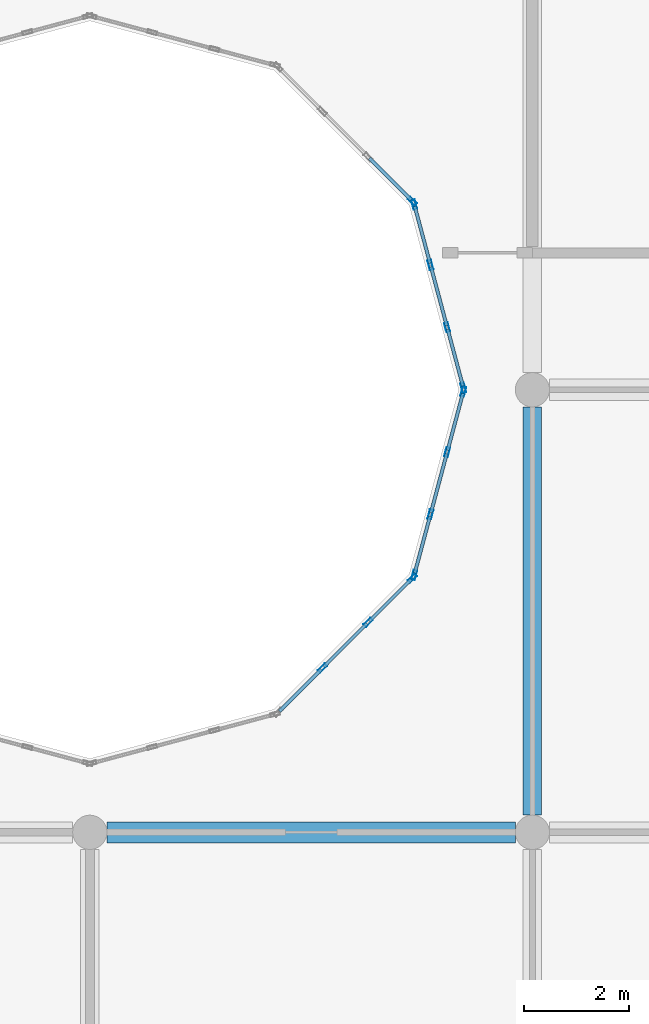
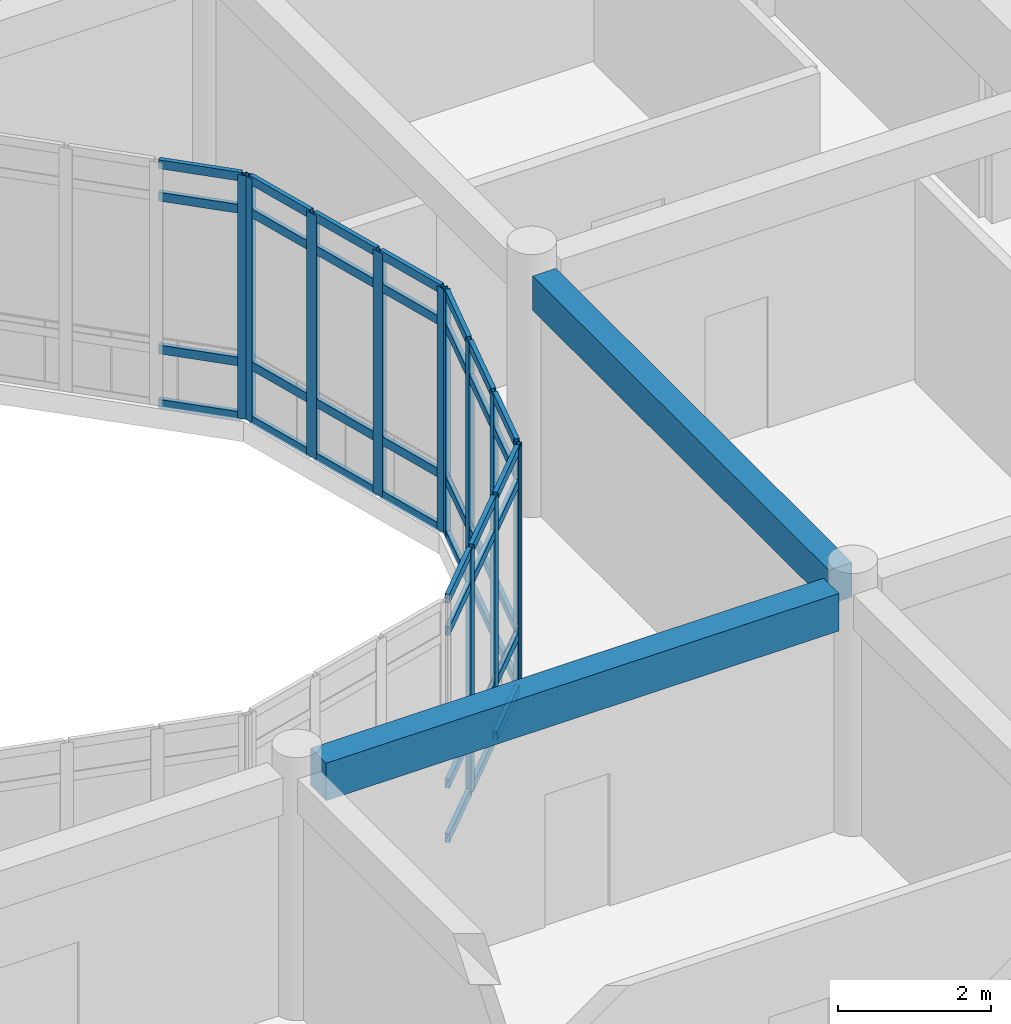
# One storey, part 32 of 119: 52 members, 2 beams, 4 elements without a shape of their own.
"""IFC4 building model written with IfcOpenShell, lengths in metres."""

from ifc_helpers import new_model, si_unit, direction, frame, origin, origin_2d, place, context, subcontext, project, spatial, rectangle, hollow_rectangle, extrude, material, layer, layer_set, material_profile, profile_set, type_object, element, aggregate, save


model = new_model("IFC4")

# Units and contexts
model_context = context("Model", 3, precision=1e-05, world=origin(), true_north=direction((0.0, 1.0)))
body_context = subcontext(model_context, "Body", "Model", "MODEL_VIEW")
ifc_project = project(units=[si_unit("LENGTHUNIT", "METRE"), si_unit("AREAUNIT", "SQUARE_METRE"), si_unit("VOLUMEUNIT", "CUBIC_METRE"), si_unit("PLANEANGLEUNIT", "RADIAN"), si_unit("MASSUNIT", "GRAM", prefix="KILO")], contexts=[model_context])

# Site, building, storey
site_placement = place(None, origin())
site = spatial("IfcSite", under=ifc_project, at=site_placement, CompositionType="ELEMENT")
building_placement = place(site_placement, origin())
building = spatial("IfcBuilding", under=site, at=building_placement, Name="Bramfleet General Hospital", CompositionType="ELEMENT")
storey_placement = place(building_placement, frame((0.0, 0.0, 14.39990234375)))
storey = spatial("IfcBuildingStorey", under=building, at=storey_placement, Name="L03", CompositionType="ELEMENT", Elevation=14.39990234375)

# Beams
ifc_material_1 = material(Name="Concrete C35/45", Category="concrete")
ifc_material_profile_1 = material_profile(ifc_material_1, rectangle(XDim=0.35009765625, YDim=0.550048828125, at=origin_2d()), Name="RC BM 550x350")
ifc_profile_set_1 = profile_set([ifc_material_profile_1], Name="Concrete C35/45")
beam_type_1 = type_object("IfcBeamType", Name="BM-RC550", PredefinedType="BEAM", material=ifc_profile_set_1)
beam_1_placement = place(storey_placement, frame((92.39990234375, 67.52490234375, 3.614990234375), z_axis=(0.0, 1.0, 0.0), x_axis=(-1.0, 0.0, 0.0)))
element("IfcBeam", 1, at=beam_1_placement, inside=storey, type_object=beam_type_1, Name="L03 Grid Beam Y 11-08", PredefinedType="BEAM", context=body_context, shape_type="SweptSolid", body=[
    extrude(rectangle(XDim=0.35009765625, YDim=0.550048828125, at=origin_2d()), origin(), (0.0, 0.0, 1.0), 7.75),
])
ifc_material_profile_2 = material_profile(ifc_material_1, rectangle(XDim=0.39990234375, YDim=0.60009765625, at=origin_2d()), Name="RC BM 600x400")
ifc_profile_set_2 = profile_set([ifc_material_profile_2], Name="Concrete C35/45")
beam_type_2 = type_object("IfcBeamType", Name="BM-RC600", PredefinedType="BEAM", material=ifc_profile_set_2)
beam_2_placement = place(storey_placement, frame((84.324951171875, 67.199951171875, 3.590087890625), z_axis=(1.0, 0.0, 0.0), x_axis=(0.0, 1.0, 0.0)))
element("IfcBeam", 2, at=beam_2_placement, inside=storey, type_object=beam_type_2, Name="L03 Grid Beam X 10-08", PredefinedType="BEAM", context=body_context, shape_type="SweptSolid", body=[
    extrude(rectangle(XDim=0.39990234375, YDim=0.60009765625, at=origin_2d()), origin(), (0.0, 0.0, 1.0), 7.75),
])

# Curtain wall, members
ifc_material_2 = material(Name="Anodised aluminium and low-E triple glazing", Category="aluminium")
ifc_layer_1 = layer(ifc_material_2, 0.179931640625, Name="CWT-CW-17")
ifc_layer_set_1 = layer_set([ifc_layer_1], Name="Anodised aluminium and low-E triple glazing")
curtain_wall_type_1 = type_object("IfcCurtainWallType", Name="CWT-CW-17", PredefinedType="USERDEFINED", material=ifc_layer_set_1)
curtain_wall_1_placement = place(storey_placement, origin())
curtain_wall_1 = element("IfcCurtainWall", 3, at=curtain_wall_1_placement, inside=storey, type_object=curtain_wall_type_1, Name="L03 Central Diagnostic Light Court Curtain Wall 5.1", ObjectType="Stick curtain wall", PredefinedType="USERDEFINED")
ifc_material_3 = material(Name="Anodised aluminium EN AW-6060", Category="aluminium")
ifc_material_profile_3 = material_profile(ifc_material_3, hollow_rectangle(XDim=0.070068359375, YDim=0.179931640625, WallThickness=0.00390625, at=origin_2d()), Name="ALU 180x70x4.0")
ifc_profile_set_3 = profile_set([ifc_material_profile_3], Name="Anodised aluminium EN AW-6060")
member_type_1 = type_object("IfcMemberType", Name="CWM-ALU180", PredefinedType="MULLION", material=ifc_profile_set_3)
member_1_placement = place(storey_placement, frame((88.416259765625, 70.3173828125, 0.0), z_axis=(0.0, 0.0, 1.0), x_axis=(-0.707106781187, 0.707106781187, 0.0)))
member_1 = element("IfcMember", 4, at=member_1_placement, type_object=member_type_1, Name="CW-17 mullion 2", PredefinedType="MULLION", context=body_context, shape_type="SweptSolid", body=[
    extrude(hollow_rectangle(XDim=0.070068359375, YDim=0.179931640625, WallThickness=0.00390625, at=origin_2d()), origin(), (0.0, 0.0, 1.0), 3.89013671875),
])
member_2_placement = place(storey_placement, frame((89.28271484375, 71.18359375, 0.0), z_axis=(0.0, 0.0, 1.0), x_axis=(-0.707106781187, 0.707106781187, 0.0)))
member_2 = element("IfcMember", 5, at=member_2_placement, type_object=member_type_1, Name="CW-17 mullion 3", PredefinedType="MULLION", context=body_context, shape_type="SweptSolid", body=[
    extrude(hollow_rectangle(XDim=0.070068359375, YDim=0.179931640625, WallThickness=0.00390625, at=origin_2d()), origin(), (0.0, 0.0, 1.0), 3.89013671875),
])
member_3_placement = place(storey_placement, frame((90.124267578125, 72.025146484375, 0.0), z_axis=(0.0, 0.0, 1.0), x_axis=(-0.707106781187, 0.707106781187, 0.0)))
member_3 = element("IfcMember", 6, at=member_3_placement, type_object=member_type_1, Name="CW-17 mullion 4", PredefinedType="MULLION", context=body_context, shape_type="SweptSolid", body=[
    extrude(hollow_rectangle(XDim=0.070068359375, YDim=0.179931640625, WallThickness=0.00390625, at=origin_2d()), origin(), (0.0, 0.0, 1.0), 3.89013671875),
])

ifc_layer_2 = layer(ifc_material_2, 0.179931640625, Name="CWT-CW-18")
ifc_layer_set_2 = layer_set([ifc_layer_2], Name="Anodised aluminium and low-E triple glazing")
curtain_wall_type_2 = type_object("IfcCurtainWallType", Name="CWT-CW-18", PredefinedType="USERDEFINED", material=ifc_layer_set_2)
curtain_wall_2_placement = place(storey_placement, origin())
curtain_wall_2 = element("IfcCurtainWall", 7, at=curtain_wall_2_placement, inside=storey, type_object=curtain_wall_type_2, Name="L03 Central Diagnostic Light Court Curtain Wall 6.1", ObjectType="Stick curtain wall", PredefinedType="USERDEFINED")
member_4_placement = place(storey_placement, frame((90.157958984375, 72.083740234375, 0.0), z_axis=(0.0, 0.0, 1.0), x_axis=(-0.965940765005, 0.258763286618, 0.0)))
member_4 = element("IfcMember", 8, at=member_4_placement, type_object=member_type_1, Name="CW-18 mullion 1", PredefinedType="MULLION", context=body_context, shape_type="SweptSolid", body=[
    extrude(hollow_rectangle(XDim=0.070068359375, YDim=0.179931640625, WallThickness=0.00390625, at=origin_2d()), origin(), (0.0, 0.0, 1.0), 3.89013671875),
])
member_5_placement = place(storey_placement, frame((90.466064453125, 73.2333984375, 0.0), z_axis=(0.0, 0.0, 1.0), x_axis=(-0.965940765005, 0.258763286618, 0.0)))
member_5 = element("IfcMember", 9, at=member_5_placement, type_object=member_type_1, Name="CW-18 mullion 2", PredefinedType="MULLION", context=body_context, shape_type="SweptSolid", body=[
    extrude(hollow_rectangle(XDim=0.070068359375, YDim=0.179931640625, WallThickness=0.00390625, at=origin_2d()), origin(), (0.0, 0.0, 1.0), 3.89013671875),
])
member_6_placement = place(storey_placement, frame((90.782958984375, 74.416748046875, 0.0), z_axis=(0.0, 0.0, 1.0), x_axis=(-0.965940765005, 0.258763286618, 0.0)))
member_6 = element("IfcMember", 10, at=member_6_placement, type_object=member_type_1, Name="CW-18 mullion 3", PredefinedType="MULLION", context=body_context, shape_type="SweptSolid", body=[
    extrude(hollow_rectangle(XDim=0.070068359375, YDim=0.179931640625, WallThickness=0.00390625, at=origin_2d()), origin(), (0.0, 0.0, 1.0), 3.89013671875),
])
member_7_placement = place(storey_placement, frame((91.091064453125, 75.566162109375, 0.0), z_axis=(0.0, 0.0, 1.0), x_axis=(-0.965940765005, 0.258763286618, 0.0)))
member_7 = element("IfcMember", 11, at=member_7_placement, type_object=member_type_1, Name="CW-18 mullion 4", PredefinedType="MULLION", context=body_context, shape_type="SweptSolid", body=[
    extrude(hollow_rectangle(XDim=0.070068359375, YDim=0.179931640625, WallThickness=0.00390625, at=origin_2d()), origin(), (0.0, 0.0, 1.0), 3.89013671875),
])

ifc_layer_3 = layer(ifc_material_2, 0.179931640625, Name="CWT-CW-11")
ifc_layer_set_3 = layer_set([ifc_layer_3], Name="Anodised aluminium and low-E triple glazing")
curtain_wall_type_3 = type_object("IfcCurtainWallType", Name="CWT-CW-11", PredefinedType="USERDEFINED", material=ifc_layer_set_3)
curtain_wall_3_placement = place(storey_placement, origin())
curtain_wall_3 = element("IfcCurtainWall", 12, at=curtain_wall_3_placement, inside=storey, type_object=curtain_wall_type_3, Name="L03 Central Diagnostic Light Court Curtain Wall 7.1", ObjectType="Stick curtain wall", PredefinedType="USERDEFINED")
member_8_placement = place(storey_placement, frame((91.091064453125, 75.6337890625, 0.0), z_axis=(0.0, 0.0, 1.0), x_axis=(-0.965940765005, -0.258763286618, 0.0)))
member_8 = element("IfcMember", 13, at=member_8_placement, type_object=member_type_1, Name="CW-11 mullion 1", PredefinedType="MULLION", context=body_context, shape_type="SweptSolid", body=[
    extrude(hollow_rectangle(XDim=0.070068359375, YDim=0.179931640625, WallThickness=0.00390625, at=origin_2d()), origin(), (0.0, 0.0, 1.0), 3.89013671875),
])
member_9_placement = place(storey_placement, frame((90.782958984375, 76.783447265625, 0.0), z_axis=(0.0, 0.0, 1.0), x_axis=(-0.965940765005, -0.258763286618, 0.0)))
member_9 = element("IfcMember", 14, at=member_9_placement, type_object=member_type_1, Name="CW-11 mullion 2", PredefinedType="MULLION", context=body_context, shape_type="SweptSolid", body=[
    extrude(hollow_rectangle(XDim=0.070068359375, YDim=0.179931640625, WallThickness=0.00390625, at=origin_2d()), origin(), (0.0, 0.0, 1.0), 3.89013671875),
])
member_10_placement = place(storey_placement, frame((90.466064453125, 77.966552734375, 0.0), z_axis=(0.0, 0.0, 1.0), x_axis=(-0.965940765005, -0.258763286618, 0.0)))
member_10 = element("IfcMember", 15, at=member_10_placement, type_object=member_type_1, Name="CW-11 mullion 3", PredefinedType="MULLION", context=body_context, shape_type="SweptSolid", body=[
    extrude(hollow_rectangle(XDim=0.070068359375, YDim=0.179931640625, WallThickness=0.00390625, at=origin_2d()), origin(), (0.0, 0.0, 1.0), 3.89013671875),
])
member_11_placement = place(storey_placement, frame((90.157958984375, 79.1162109375, 0.0), z_axis=(0.0, 0.0, 1.0), x_axis=(-0.965940765005, -0.258763286618, 0.0)))
member_11 = element("IfcMember", 16, at=member_11_placement, type_object=member_type_1, Name="CW-11 mullion 4", PredefinedType="MULLION", context=body_context, shape_type="SweptSolid", body=[
    extrude(hollow_rectangle(XDim=0.070068359375, YDim=0.179931640625, WallThickness=0.00390625, at=origin_2d()), origin(), (0.0, 0.0, 1.0), 3.89013671875),
])

# Curtain wall, member
ifc_layer_4 = layer(ifc_material_2, 0.179931640625, Name="CWT-CW-12")
ifc_layer_set_4 = layer_set([ifc_layer_4], Name="Anodised aluminium and low-E triple glazing")
curtain_wall_type_4 = type_object("IfcCurtainWallType", Name="CWT-CW-12", PredefinedType="USERDEFINED", material=ifc_layer_set_4)
curtain_wall_4_placement = place(storey_placement, origin())
curtain_wall_4 = element("IfcCurtainWall", 17, at=curtain_wall_4_placement, inside=storey, type_object=curtain_wall_type_4, Name="L03 Central Diagnostic Light Court Curtain Wall 8.1", ObjectType="Stick curtain wall", PredefinedType="USERDEFINED")
member_12_placement = place(storey_placement, frame((90.124267578125, 79.1748046875, 0.0), z_axis=(0.0, 0.0, 1.0), x_axis=(-0.707106781187, -0.707106781187, 0.0)))
member_12 = element("IfcMember", 18, at=member_12_placement, type_object=member_type_1, Name="CW-12 mullion 1", PredefinedType="MULLION", context=body_context, shape_type="SweptSolid", body=[
    extrude(hollow_rectangle(XDim=0.070068359375, YDim=0.179931640625, WallThickness=0.00390625, at=origin_2d()), origin(), (0.0, 0.0, 1.0), 3.89013671875),
])

# Member
ifc_material_profile_4 = material_profile(ifc_material_3, hollow_rectangle(XDim=0.06494140625, YDim=0.139892578125, WallThickness=0.00390625, at=origin_2d()), Name="ALU 140x65x4.0")
ifc_profile_set_4 = profile_set([ifc_material_profile_4], Name="Anodised aluminium EN AW-6060")
member_type_2 = type_object("IfcMemberType", Name="CWT-ALU140", PredefinedType="USERDEFINED", material=ifc_profile_set_4)
member_13_placement = place(storey_placement, frame((87.599609375, 69.50048828125, 0.03271484375), z_axis=(0.707106781187, 0.707106781187, 0.0), x_axis=(-0.707106781187, 0.707106781187, 0.0)))
member_13 = element("IfcMember", 19, at=member_13_placement, type_object=member_type_2, Name="CW-17 transom 1.1", ObjectType="TRANSOM", PredefinedType="USERDEFINED", context=body_context, shape_type="SweptSolid", body=[
    extrude(hollow_rectangle(XDim=0.06494140625, YDim=0.139892578125, WallThickness=0.00390625, at=origin_2d()), origin(), (0.0, 0.0, 1.0), 1.1201171875),
])

member_14_placement = place(storey_placement, frame((87.599609375, 69.50048828125, 0.900146484375), z_axis=(0.707106781187, 0.707106781187, 0.0), x_axis=(-0.707106781187, 0.707106781187, 0.0)))
member_14 = element("IfcMember", 20, at=member_14_placement, type_object=member_type_2, Name="CW-17 transom 1.2", ObjectType="TRANSOM", PredefinedType="USERDEFINED", context=body_context, shape_type="SweptSolid", body=[
    extrude(hollow_rectangle(XDim=0.06494140625, YDim=0.139892578125, WallThickness=0.00390625, at=origin_2d()), origin(), (0.0, 0.0, 1.0), 1.1201171875),
])

member_15_placement = place(storey_placement, frame((87.599609375, 69.50048828125, 3.340087890625), z_axis=(0.707106781187, 0.707106781187, 0.0), x_axis=(-0.707106781187, 0.707106781187, 0.0)))
member_15 = element("IfcMember", 21, at=member_15_placement, type_object=member_type_2, Name="CW-17 transom 1.3", ObjectType="TRANSOM", PredefinedType="USERDEFINED", context=body_context, shape_type="SweptSolid", body=[
    extrude(hollow_rectangle(XDim=0.06494140625, YDim=0.139892578125, WallThickness=0.00390625, at=origin_2d()), origin(), (0.0, 0.0, 1.0), 1.1201171875),
])

member_16_placement = place(storey_placement, frame((87.599609375, 69.50048828125, 3.857666015625), z_axis=(0.707106781187, 0.707106781187, 0.0), x_axis=(-0.707106781187, 0.707106781187, 0.0)))
member_16 = element("IfcMember", 22, at=member_16_placement, type_object=member_type_2, Name="CW-17 transom 1.4", ObjectType="TRANSOM", PredefinedType="USERDEFINED", context=body_context, shape_type="SweptSolid", body=[
    extrude(hollow_rectangle(XDim=0.06494140625, YDim=0.139892578125, WallThickness=0.00390625, at=origin_2d()), origin(), (0.0, 0.0, 1.0), 1.1201171875),
])

member_17_placement = place(storey_placement, frame((88.441162109375, 70.342041015625, 0.03271484375), z_axis=(0.707001093006, 0.707212453572, 0.0), x_axis=(-0.707212453572, 0.707001093006, 0.0)))
member_17 = element("IfcMember", 23, at=member_17_placement, type_object=member_type_2, Name="CW-17 transom 2.1", ObjectType="TRANSOM", PredefinedType="USERDEFINED", context=body_context, shape_type="SweptSolid", body=[
    extrude(hollow_rectangle(XDim=0.06494140625, YDim=0.139892578125, WallThickness=0.00390625, at=origin_2d()), origin(), (0.0, 0.0, 1.0), 1.155029296875),
])

member_18_placement = place(storey_placement, frame((88.441162109375, 70.342041015625, 0.900146484375), z_axis=(0.707001093006, 0.707212453572, 0.0), x_axis=(-0.707212453572, 0.707001093006, 0.0)))
member_18 = element("IfcMember", 24, at=member_18_placement, type_object=member_type_2, Name="CW-17 transom 2.2", ObjectType="TRANSOM", PredefinedType="USERDEFINED", context=body_context, shape_type="SweptSolid", body=[
    extrude(hollow_rectangle(XDim=0.06494140625, YDim=0.139892578125, WallThickness=0.00390625, at=origin_2d()), origin(), (0.0, 0.0, 1.0), 1.155029296875),
])

member_19_placement = place(storey_placement, frame((88.441162109375, 70.342041015625, 3.340087890625), z_axis=(0.707001093006, 0.707212453572, 0.0), x_axis=(-0.707212453572, 0.707001093006, 0.0)))
member_19 = element("IfcMember", 25, at=member_19_placement, type_object=member_type_2, Name="CW-17 transom 2.3", ObjectType="TRANSOM", PredefinedType="USERDEFINED", context=body_context, shape_type="SweptSolid", body=[
    extrude(hollow_rectangle(XDim=0.06494140625, YDim=0.139892578125, WallThickness=0.00390625, at=origin_2d()), origin(), (0.0, 0.0, 1.0), 1.155029296875),
])

member_20_placement = place(storey_placement, frame((88.441162109375, 70.342041015625, 3.857666015625), z_axis=(0.707001093006, 0.707212453572, 0.0), x_axis=(-0.707212453572, 0.707001093006, 0.0)))
member_20 = element("IfcMember", 26, at=member_20_placement, type_object=member_type_2, Name="CW-17 transom 2.4", ObjectType="TRANSOM", PredefinedType="USERDEFINED", context=body_context, shape_type="SweptSolid", body=[
    extrude(hollow_rectangle(XDim=0.06494140625, YDim=0.139892578125, WallThickness=0.00390625, at=origin_2d()), origin(), (0.0, 0.0, 1.0), 1.155029296875),
])

member_21_placement = place(storey_placement, frame((89.307373046875, 71.20849609375, 0.03271484375), z_axis=(0.707215742858, 0.706997802722, 0.0), x_axis=(-0.706997802722, 0.707215742858, 0.0)))
member_21 = element("IfcMember", 27, at=member_21_placement, type_object=member_type_2, Name="CW-17 transom 3.1", ObjectType="TRANSOM", PredefinedType="USERDEFINED", context=body_context, shape_type="SweptSolid", body=[
    extrude(hollow_rectangle(XDim=0.06494140625, YDim=0.139892578125, WallThickness=0.00390625, at=origin_2d()), origin(), (0.0, 0.0, 1.0), 1.1201171875),
])

member_22_placement = place(storey_placement, frame((89.307373046875, 71.20849609375, 0.900146484375), z_axis=(0.707215742858, 0.706997802722, 0.0), x_axis=(-0.706997802722, 0.707215742858, 0.0)))
member_22 = element("IfcMember", 28, at=member_22_placement, type_object=member_type_2, Name="CW-17 transom 3.2", ObjectType="TRANSOM", PredefinedType="USERDEFINED", context=body_context, shape_type="SweptSolid", body=[
    extrude(hollow_rectangle(XDim=0.06494140625, YDim=0.139892578125, WallThickness=0.00390625, at=origin_2d()), origin(), (0.0, 0.0, 1.0), 1.1201171875),
])

member_23_placement = place(storey_placement, frame((89.307373046875, 71.20849609375, 3.340087890625), z_axis=(0.707215742858, 0.706997802722, 0.0), x_axis=(-0.706997802722, 0.707215742858, 0.0)))
member_23 = element("IfcMember", 29, at=member_23_placement, type_object=member_type_2, Name="CW-17 transom 3.3", ObjectType="TRANSOM", PredefinedType="USERDEFINED", context=body_context, shape_type="SweptSolid", body=[
    extrude(hollow_rectangle(XDim=0.06494140625, YDim=0.139892578125, WallThickness=0.00390625, at=origin_2d()), origin(), (0.0, 0.0, 1.0), 1.1201171875),
])

member_24_placement = place(storey_placement, frame((89.307373046875, 71.20849609375, 3.857666015625), z_axis=(0.707215742858, 0.706997802722, 0.0), x_axis=(-0.706997802722, 0.707215742858, 0.0)))
member_24 = element("IfcMember", 30, at=member_24_placement, type_object=member_type_2, Name="CW-17 transom 3.4", ObjectType="TRANSOM", PredefinedType="USERDEFINED", context=body_context, shape_type="SweptSolid", body=[
    extrude(hollow_rectangle(XDim=0.06494140625, YDim=0.139892578125, WallThickness=0.00390625, at=origin_2d()), origin(), (0.0, 0.0, 1.0), 1.1201171875),
])

aggregate(curtain_wall_1, [member_1, member_2, member_3, member_13, member_14, member_15, member_16, member_17, member_18, member_19, member_20, member_21, member_22, member_23, member_24])

member_25_placement = place(storey_placement, frame((90.1669921875, 72.11767578125, 0.03271484375), z_axis=(0.258964892978, 0.965886734667, 0.0), x_axis=(-0.965886734667, 0.258964892978, 0.0)))
member_25 = element("IfcMember", 31, at=member_25_placement, type_object=member_type_2, Name="CW-18 transom 1.1", ObjectType="TRANSOM", PredefinedType="USERDEFINED", context=body_context, shape_type="SweptSolid", body=[
    extrude(hollow_rectangle(XDim=0.06494140625, YDim=0.139892578125, WallThickness=0.00390625, at=origin_2d()), origin(), (0.0, 0.0, 1.0), 1.119873046875),
])

member_26_placement = place(storey_placement, frame((90.1669921875, 72.11767578125, 0.900146484375), z_axis=(0.258964892978, 0.965886734667, 0.0), x_axis=(-0.965886734667, 0.258964892978, 0.0)))
member_26 = element("IfcMember", 32, at=member_26_placement, type_object=member_type_2, Name="CW-18 transom 1.2", ObjectType="TRANSOM", PredefinedType="USERDEFINED", context=body_context, shape_type="SweptSolid", body=[
    extrude(hollow_rectangle(XDim=0.06494140625, YDim=0.139892578125, WallThickness=0.00390625, at=origin_2d()), origin(), (0.0, 0.0, 1.0), 1.119873046875),
])

member_27_placement = place(storey_placement, frame((90.1669921875, 72.11767578125, 3.340087890625), z_axis=(0.258964892978, 0.965886734667, 0.0), x_axis=(-0.965886734667, 0.258964892978, 0.0)))
member_27 = element("IfcMember", 33, at=member_27_placement, type_object=member_type_2, Name="CW-18 transom 1.3", ObjectType="TRANSOM", PredefinedType="USERDEFINED", context=body_context, shape_type="SweptSolid", body=[
    extrude(hollow_rectangle(XDim=0.06494140625, YDim=0.139892578125, WallThickness=0.00390625, at=origin_2d()), origin(), (0.0, 0.0, 1.0), 1.119873046875),
])

member_28_placement = place(storey_placement, frame((90.1669921875, 72.11767578125, 3.857666015625), z_axis=(0.258964892978, 0.965886734667, 0.0), x_axis=(-0.965886734667, 0.258964892978, 0.0)))
member_28 = element("IfcMember", 34, at=member_28_placement, type_object=member_type_2, Name="CW-18 transom 1.4", ObjectType="TRANSOM", PredefinedType="USERDEFINED", context=body_context, shape_type="SweptSolid", body=[
    extrude(hollow_rectangle(XDim=0.06494140625, YDim=0.139892578125, WallThickness=0.00390625, at=origin_2d()), origin(), (0.0, 0.0, 1.0), 1.119873046875),
])

member_29_placement = place(storey_placement, frame((90.47509765625, 73.26708984375, 0.03271484375), z_axis=(0.258714954608, 0.965953711242, 0.0), x_axis=(-0.965953711242, 0.258714954608, 0.0)))
member_29 = element("IfcMember", 35, at=member_29_placement, type_object=member_type_2, Name="CW-18 transom 2.1", ObjectType="TRANSOM", PredefinedType="USERDEFINED", context=body_context, shape_type="SweptSolid", body=[
    extrude(hollow_rectangle(XDim=0.06494140625, YDim=0.139892578125, WallThickness=0.00390625, at=origin_2d()), origin(), (0.0, 0.0, 1.0), 1.155029296875),
])

member_30_placement = place(storey_placement, frame((90.47509765625, 73.26708984375, 0.900146484375), z_axis=(0.258714954608, 0.965953711242, 0.0), x_axis=(-0.965953711242, 0.258714954608, 0.0)))
member_30 = element("IfcMember", 36, at=member_30_placement, type_object=member_type_2, Name="CW-18 transom 2.2", ObjectType="TRANSOM", PredefinedType="USERDEFINED", context=body_context, shape_type="SweptSolid", body=[
    extrude(hollow_rectangle(XDim=0.06494140625, YDim=0.139892578125, WallThickness=0.00390625, at=origin_2d()), origin(), (0.0, 0.0, 1.0), 1.155029296875),
])

member_31_placement = place(storey_placement, frame((90.47509765625, 73.26708984375, 3.340087890625), z_axis=(0.258714954608, 0.965953711242, 0.0), x_axis=(-0.965953711242, 0.258714954608, 0.0)))
member_31 = element("IfcMember", 37, at=member_31_placement, type_object=member_type_2, Name="CW-18 transom 2.3", ObjectType="TRANSOM", PredefinedType="USERDEFINED", context=body_context, shape_type="SweptSolid", body=[
    extrude(hollow_rectangle(XDim=0.06494140625, YDim=0.139892578125, WallThickness=0.00390625, at=origin_2d()), origin(), (0.0, 0.0, 1.0), 1.155029296875),
])

member_32_placement = place(storey_placement, frame((90.47509765625, 73.26708984375, 3.857666015625), z_axis=(0.258714954608, 0.965953711242, 0.0), x_axis=(-0.965953711242, 0.258714954608, 0.0)))
member_32 = element("IfcMember", 38, at=member_32_placement, type_object=member_type_2, Name="CW-18 transom 2.4", ObjectType="TRANSOM", PredefinedType="USERDEFINED", context=body_context, shape_type="SweptSolid", body=[
    extrude(hollow_rectangle(XDim=0.06494140625, YDim=0.139892578125, WallThickness=0.00390625, at=origin_2d()), origin(), (0.0, 0.0, 1.0), 1.155029296875),
])

member_33_placement = place(storey_placement, frame((90.7919921875, 74.450439453125, 0.03271484375), z_axis=(0.25870703371, 0.965955832691, 0.0), x_axis=(-0.965955832691, 0.25870703371, 0.0)))
member_33 = element("IfcMember", 39, at=member_33_placement, type_object=member_type_2, Name="CW-18 transom 3.1", ObjectType="TRANSOM", PredefinedType="USERDEFINED", context=body_context, shape_type="SweptSolid", body=[
    extrude(hollow_rectangle(XDim=0.06494140625, YDim=0.139892578125, WallThickness=0.00390625, at=origin_2d()), origin(), (0.0, 0.0, 1.0), 1.1201171875),
])

member_34_placement = place(storey_placement, frame((90.7919921875, 74.450439453125, 0.900146484375), z_axis=(0.25870703371, 0.965955832691, 0.0), x_axis=(-0.965955832691, 0.25870703371, 0.0)))
member_34 = element("IfcMember", 40, at=member_34_placement, type_object=member_type_2, Name="CW-18 transom 3.2", ObjectType="TRANSOM", PredefinedType="USERDEFINED", context=body_context, shape_type="SweptSolid", body=[
    extrude(hollow_rectangle(XDim=0.06494140625, YDim=0.139892578125, WallThickness=0.00390625, at=origin_2d()), origin(), (0.0, 0.0, 1.0), 1.1201171875),
])

member_35_placement = place(storey_placement, frame((90.7919921875, 74.450439453125, 3.340087890625), z_axis=(0.25870703371, 0.965955832691, 0.0), x_axis=(-0.965955832691, 0.25870703371, 0.0)))
member_35 = element("IfcMember", 41, at=member_35_placement, type_object=member_type_2, Name="CW-18 transom 3.3", ObjectType="TRANSOM", PredefinedType="USERDEFINED", context=body_context, shape_type="SweptSolid", body=[
    extrude(hollow_rectangle(XDim=0.06494140625, YDim=0.139892578125, WallThickness=0.00390625, at=origin_2d()), origin(), (0.0, 0.0, 1.0), 1.1201171875),
])

member_36_placement = place(storey_placement, frame((90.7919921875, 74.450439453125, 3.857666015625), z_axis=(0.25870703371, 0.965955832691, 0.0), x_axis=(-0.965955832691, 0.25870703371, 0.0)))
member_36 = element("IfcMember", 42, at=member_36_placement, type_object=member_type_2, Name="CW-18 transom 3.4", ObjectType="TRANSOM", PredefinedType="USERDEFINED", context=body_context, shape_type="SweptSolid", body=[
    extrude(hollow_rectangle(XDim=0.06494140625, YDim=0.139892578125, WallThickness=0.00390625, at=origin_2d()), origin(), (0.0, 0.0, 1.0), 1.1201171875),
])

aggregate(curtain_wall_2, [member_4, member_5, member_6, member_7, member_25, member_26, member_27, member_28, member_29, member_30, member_31, member_32, member_33, member_34, member_35, member_36])

member_37_placement = place(storey_placement, frame((91.081787109375, 75.667724609375, 0.03271484375), z_axis=(-0.258761510459, 0.965941240814, 0.0), x_axis=(-0.965941240814, -0.258761510459, 0.0)))
member_37 = element("IfcMember", 43, at=member_37_placement, type_object=member_type_2, Name="CW-11 transom 1.1", ObjectType="TRANSOM", PredefinedType="USERDEFINED", context=body_context, shape_type="SweptSolid", body=[
    extrude(hollow_rectangle(XDim=0.06494140625, YDim=0.139892578125, WallThickness=0.00390625, at=origin_2d()), origin(), (0.0, 0.0, 1.0), 1.119873046875),
])

member_38_placement = place(storey_placement, frame((91.081787109375, 75.667724609375, 0.900146484375), z_axis=(-0.258761510459, 0.965941240814, 0.0), x_axis=(-0.965941240814, -0.258761510459, 0.0)))
member_38 = element("IfcMember", 44, at=member_38_placement, type_object=member_type_2, Name="CW-11 transom 1.2", ObjectType="TRANSOM", PredefinedType="USERDEFINED", context=body_context, shape_type="SweptSolid", body=[
    extrude(hollow_rectangle(XDim=0.06494140625, YDim=0.139892578125, WallThickness=0.00390625, at=origin_2d()), origin(), (0.0, 0.0, 1.0), 1.119873046875),
])

member_39_placement = place(storey_placement, frame((91.081787109375, 75.667724609375, 3.340087890625), z_axis=(-0.258761510459, 0.965941240814, 0.0), x_axis=(-0.965941240814, -0.258761510459, 0.0)))
member_39 = element("IfcMember", 45, at=member_39_placement, type_object=member_type_2, Name="CW-11 transom 1.3", ObjectType="TRANSOM", PredefinedType="USERDEFINED", context=body_context, shape_type="SweptSolid", body=[
    extrude(hollow_rectangle(XDim=0.06494140625, YDim=0.139892578125, WallThickness=0.00390625, at=origin_2d()), origin(), (0.0, 0.0, 1.0), 1.119873046875),
])

member_40_placement = place(storey_placement, frame((91.081787109375, 75.667724609375, 3.857666015625), z_axis=(-0.258761510459, 0.965941240814, 0.0), x_axis=(-0.965941240814, -0.258761510459, 0.0)))
member_40 = element("IfcMember", 46, at=member_40_placement, type_object=member_type_2, Name="CW-11 transom 1.4", ObjectType="TRANSOM", PredefinedType="USERDEFINED", context=body_context, shape_type="SweptSolid", body=[
    extrude(hollow_rectangle(XDim=0.06494140625, YDim=0.139892578125, WallThickness=0.00390625, at=origin_2d()), origin(), (0.0, 0.0, 1.0), 1.119873046875),
])

member_41_placement = place(storey_placement, frame((90.77392578125, 76.817138671875, 0.03271484375), z_axis=(-0.258714954608, 0.965953711242, 0.0), x_axis=(-0.965953711242, -0.258714954608, 0.0)))
member_41 = element("IfcMember", 47, at=member_41_placement, type_object=member_type_2, Name="CW-11 transom 2.1", ObjectType="TRANSOM", PredefinedType="USERDEFINED", context=body_context, shape_type="SweptSolid", body=[
    extrude(hollow_rectangle(XDim=0.06494140625, YDim=0.139892578125, WallThickness=0.00390625, at=origin_2d()), origin(), (0.0, 0.0, 1.0), 1.155029296875),
])

member_42_placement = place(storey_placement, frame((90.77392578125, 76.817138671875, 0.900146484375), z_axis=(-0.258714954608, 0.965953711242, 0.0), x_axis=(-0.965953711242, -0.258714954608, 0.0)))
member_42 = element("IfcMember", 48, at=member_42_placement, type_object=member_type_2, Name="CW-11 transom 2.2", ObjectType="TRANSOM", PredefinedType="USERDEFINED", context=body_context, shape_type="SweptSolid", body=[
    extrude(hollow_rectangle(XDim=0.06494140625, YDim=0.139892578125, WallThickness=0.00390625, at=origin_2d()), origin(), (0.0, 0.0, 1.0), 1.155029296875),
])

member_43_placement = place(storey_placement, frame((90.77392578125, 76.817138671875, 3.340087890625), z_axis=(-0.258714954608, 0.965953711242, 0.0), x_axis=(-0.965953711242, -0.258714954608, 0.0)))
member_43 = element("IfcMember", 49, at=member_43_placement, type_object=member_type_2, Name="CW-11 transom 2.3", ObjectType="TRANSOM", PredefinedType="USERDEFINED", context=body_context, shape_type="SweptSolid", body=[
    extrude(hollow_rectangle(XDim=0.06494140625, YDim=0.139892578125, WallThickness=0.00390625, at=origin_2d()), origin(), (0.0, 0.0, 1.0), 1.155029296875),
])

member_44_placement = place(storey_placement, frame((90.77392578125, 76.817138671875, 3.857666015625), z_axis=(-0.258714954608, 0.965953711242, 0.0), x_axis=(-0.965953711242, -0.258714954608, 0.0)))
member_44 = element("IfcMember", 50, at=member_44_placement, type_object=member_type_2, Name="CW-11 transom 2.4", ObjectType="TRANSOM", PredefinedType="USERDEFINED", context=body_context, shape_type="SweptSolid", body=[
    extrude(hollow_rectangle(XDim=0.06494140625, YDim=0.139892578125, WallThickness=0.00390625, at=origin_2d()), origin(), (0.0, 0.0, 1.0), 1.155029296875),
])

member_45_placement = place(storey_placement, frame((90.45703125, 78.00048828125, 0.03271484375), z_axis=(-0.258964892978, 0.965886734667, 0.0), x_axis=(-0.965886734667, -0.258964892978, 0.0)))
member_45 = element("IfcMember", 51, at=member_45_placement, type_object=member_type_2, Name="CW-11 transom 3.1", ObjectType="TRANSOM", PredefinedType="USERDEFINED", context=body_context, shape_type="SweptSolid", body=[
    extrude(hollow_rectangle(XDim=0.06494140625, YDim=0.139892578125, WallThickness=0.00390625, at=origin_2d()), origin(), (0.0, 0.0, 1.0), 1.119873046875),
])

member_46_placement = place(storey_placement, frame((90.45703125, 78.00048828125, 0.900146484375), z_axis=(-0.258964892978, 0.965886734667, 0.0), x_axis=(-0.965886734667, -0.258964892978, 0.0)))
member_46 = element("IfcMember", 52, at=member_46_placement, type_object=member_type_2, Name="CW-11 transom 3.2", ObjectType="TRANSOM", PredefinedType="USERDEFINED", context=body_context, shape_type="SweptSolid", body=[
    extrude(hollow_rectangle(XDim=0.06494140625, YDim=0.139892578125, WallThickness=0.00390625, at=origin_2d()), origin(), (0.0, 0.0, 1.0), 1.119873046875),
])

member_47_placement = place(storey_placement, frame((90.45703125, 78.00048828125, 3.340087890625), z_axis=(-0.258964892978, 0.965886734667, 0.0), x_axis=(-0.965886734667, -0.258964892978, 0.0)))
member_47 = element("IfcMember", 53, at=member_47_placement, type_object=member_type_2, Name="CW-11 transom 3.3", ObjectType="TRANSOM", PredefinedType="USERDEFINED", context=body_context, shape_type="SweptSolid", body=[
    extrude(hollow_rectangle(XDim=0.06494140625, YDim=0.139892578125, WallThickness=0.00390625, at=origin_2d()), origin(), (0.0, 0.0, 1.0), 1.119873046875),
])

member_48_placement = place(storey_placement, frame((90.45703125, 78.00048828125, 3.857666015625), z_axis=(-0.258964892978, 0.965886734667, 0.0), x_axis=(-0.965886734667, -0.258964892978, 0.0)))
member_48 = element("IfcMember", 54, at=member_48_placement, type_object=member_type_2, Name="CW-11 transom 3.4", ObjectType="TRANSOM", PredefinedType="USERDEFINED", context=body_context, shape_type="SweptSolid", body=[
    extrude(hollow_rectangle(XDim=0.06494140625, YDim=0.139892578125, WallThickness=0.00390625, at=origin_2d()), origin(), (0.0, 0.0, 1.0), 1.119873046875),
])

aggregate(curtain_wall_3, [member_8, member_9, member_10, member_11, member_37, member_38, member_39, member_40, member_41, member_42, member_43, member_44, member_45, member_46, member_47, member_48])

member_49_placement = place(storey_placement, frame((90.099609375, 79.199462890625, 0.03271484375), z_axis=(-0.707106781187, 0.707106781187, 0.0), x_axis=(-0.707106781187, -0.707106781187, 0.0)))
member_49 = element("IfcMember", 55, at=member_49_placement, type_object=member_type_2, Name="CW-12 transom 1.1", ObjectType="TRANSOM", PredefinedType="USERDEFINED", context=body_context, shape_type="SweptSolid", body=[
    extrude(hollow_rectangle(XDim=0.06494140625, YDim=0.139892578125, WallThickness=0.00390625, at=origin_2d()), origin(), (0.0, 0.0, 1.0), 1.120361328125),
])

member_50_placement = place(storey_placement, frame((90.099609375, 79.199462890625, 0.900146484375), z_axis=(-0.707106781187, 0.707106781187, 0.0), x_axis=(-0.707106781187, -0.707106781187, 0.0)))
member_50 = element("IfcMember", 56, at=member_50_placement, type_object=member_type_2, Name="CW-12 transom 1.2", ObjectType="TRANSOM", PredefinedType="USERDEFINED", context=body_context, shape_type="SweptSolid", body=[
    extrude(hollow_rectangle(XDim=0.06494140625, YDim=0.139892578125, WallThickness=0.00390625, at=origin_2d()), origin(), (0.0, 0.0, 1.0), 1.120361328125),
])

member_51_placement = place(storey_placement, frame((90.099609375, 79.199462890625, 3.340087890625), z_axis=(-0.707106781187, 0.707106781187, 0.0), x_axis=(-0.707106781187, -0.707106781187, 0.0)))
member_51 = element("IfcMember", 57, at=member_51_placement, type_object=member_type_2, Name="CW-12 transom 1.3", ObjectType="TRANSOM", PredefinedType="USERDEFINED", context=body_context, shape_type="SweptSolid", body=[
    extrude(hollow_rectangle(XDim=0.06494140625, YDim=0.139892578125, WallThickness=0.00390625, at=origin_2d()), origin(), (0.0, 0.0, 1.0), 1.120361328125),
])

member_52_placement = place(storey_placement, frame((90.099609375, 79.199462890625, 3.857666015625), z_axis=(-0.707106781187, 0.707106781187, 0.0), x_axis=(-0.707106781187, -0.707106781187, 0.0)))
member_52 = element("IfcMember", 58, at=member_52_placement, type_object=member_type_2, Name="CW-12 transom 1.4", ObjectType="TRANSOM", PredefinedType="USERDEFINED", context=body_context, shape_type="SweptSolid", body=[
    extrude(hollow_rectangle(XDim=0.06494140625, YDim=0.139892578125, WallThickness=0.00390625, at=origin_2d()), origin(), (0.0, 0.0, 1.0), 1.120361328125),
])

aggregate(curtain_wall_4, [member_12, member_49, member_50, member_51, member_52])

save(model, "model.ifc")
